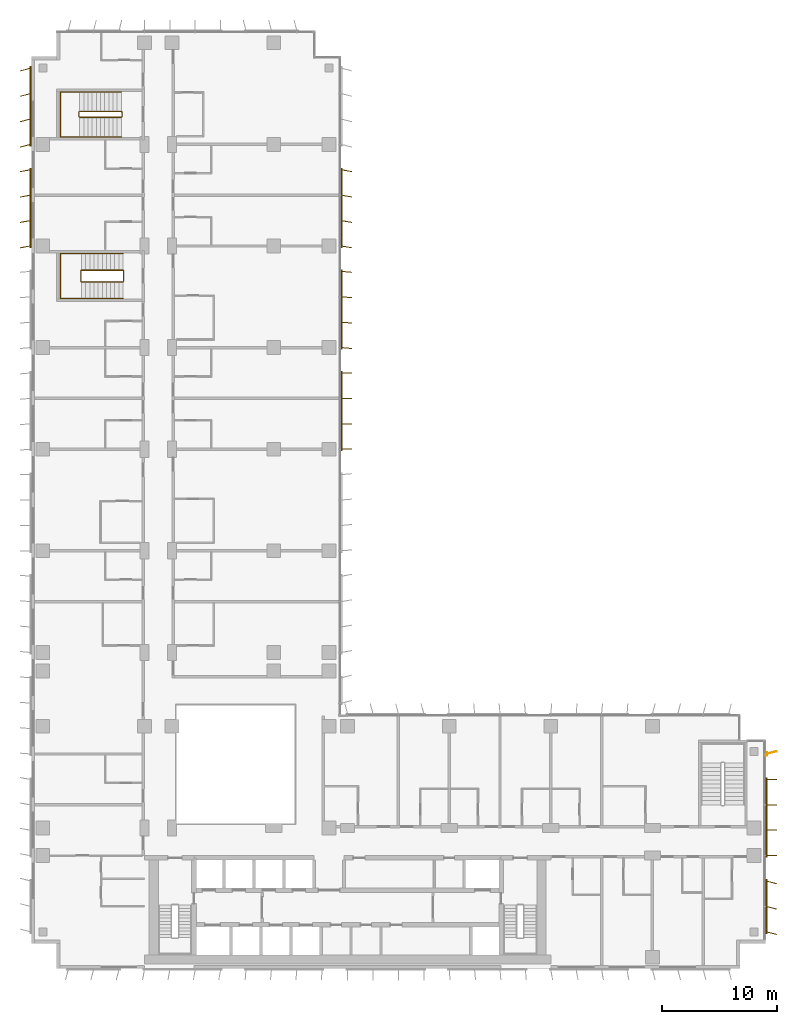
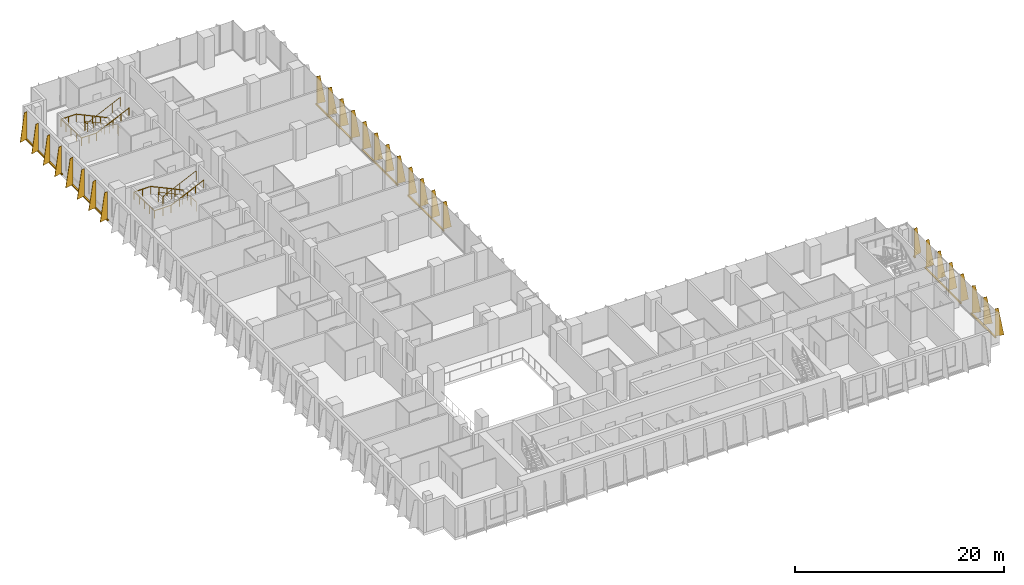
# One storey, part 22 of 23: 8 shading devices, 4 railings.
"""IFC4 building model written with IfcOpenShell, lengths in metres."""

from ifc_helpers import new_model, si_unit, direction, frame, origin, origin_2d, place, context, subcontext, project, spatial, polyline, rectangle, circle, outline, extrude, source, transform, mapped, material, layer, layer_set, type_object, element, save


model = new_model("IFC4")

# Units and contexts
model_context = context("Model", 3, precision=1e-05, world=origin(), true_north=direction((0.0, 1.0)))
body_context = subcontext(model_context, "Body", "Model", "MODEL_VIEW")
ifc_project = project(units=[si_unit("LENGTHUNIT", "METRE"), si_unit("AREAUNIT", "SQUARE_METRE"), si_unit("VOLUMEUNIT", "CUBIC_METRE"), si_unit("PLANEANGLEUNIT", "RADIAN"), si_unit("MASSUNIT", "GRAM", prefix="KILO")], contexts=[model_context])

# Site, building, storey
site_placement = place(None, origin())
site = spatial("IfcSite", under=ifc_project, at=site_placement, CompositionType="ELEMENT")
building_placement = place(site_placement, origin())
building = spatial("IfcBuilding", under=site, at=building_placement, Name="Kemantara Hotel Tower", CompositionType="ELEMENT")
storey_placement = place(building_placement, frame((0.0, 0.0, 118.5)))
storey = spatial("IfcBuildingStorey", under=building, at=storey_placement, Name="L28", CompositionType="ELEMENT", Elevation=118.5)

# Railings
ifc_material_1 = material(Name="Stainless steel balustrade", Category="steel")
railing_type_1 = type_object("IfcRailingType", Name="Stair guard 1100 mm", PredefinedType="GUARDRAIL", material=ifc_material_1)
railing_1_placement = place(storey_placement, frame((7.949951171875, 59.5, 3.699951171875)))
element("IfcRailing", 1, at=railing_1_placement, inside=storey, type_object=railing_type_1, Name="L28 ST4 stair guard 1", PredefinedType="GUARDRAIL", context=body_context, shape_type="SweptSolid", body=[
    extrude(circle(Radius=0.02392578125, at=origin_2d()), frame((0.0, 0.0, 1.076171875), z_axis=(-0.905994681025, 0.0, -0.423289071386), x_axis=(0.0, -1.0, 0.0)), (0.0, 0.0, 1.0), 3.973388671875),
    extrude(circle(Radius=0.02392578125, at=origin_2d()), frame((-3.599853515625, 0.0, -0.60595703125), z_axis=(-0.274582412415, 0.274582412415, -0.921525364591), x_axis=(-0.707106781187, -0.707106781187, 0.0)), (0.0, 0.0, 1.0), 0.182373046875),
    extrude(circle(Radius=0.02392578125, at=origin_2d()), frame((-3.64990234375, 0.050048828125, -0.77392578125), z_axis=(0.0, 1.0, 0.0), x_axis=(-1.0, 0.0, 0.0)), (0.0, 0.0, 1.0), 0.89990234375),
    extrude(circle(Radius=0.02392578125, at=origin_2d()), frame((-3.64990234375, 0.949951171875, -0.77392578125), z_axis=(0.707106781187, 0.707106781187, 0.0), x_axis=(-0.707106781187, 0.707106781187, 0.0)), (0.0, 0.0, 1.0), 0.07080078125),
    extrude(circle(Radius=0.02392578125, at=origin_2d()), frame((-3.599853515625, 1.0, -0.77392578125), z_axis=(0.905994681025, 0.0, -0.423289071386), x_axis=(0.0, 1.0, 0.0)), (0.0, 0.0, 1.0), 3.973388671875),
    extrude(circle(Radius=0.02392578125, at=origin_2d()), frame((0.0, 1.0, -2.45556640625), z_axis=(0.274243871929, -0.274243871929, -0.92172696468), x_axis=(0.707106781187, 0.707106781187, 0.0)), (0.0, 0.0, 1.0), 0.1826171875),
    extrude(circle(Radius=0.02392578125, at=origin_2d()), frame((0.050048828125, 0.949951171875, -2.6240234375), z_axis=(0.0, -1.0, 0.0), x_axis=(1.0, 0.0, 0.0)), (0.0, 0.0, 1.0), 0.89990234375),
    extrude(circle(Radius=0.02099609375, at=origin_2d()), origin(), (0.0, 0.0, 1.0), 1.052001953125),
    extrude(circle(Radius=0.02099609375, at=origin_2d()), frame((-0.89990234375, 0.0, -0.42041015625)), (0.0, 0.0, 1.0), 1.052001953125),
    extrude(circle(Radius=0.02099609375, at=origin_2d()), frame((-1.7998046875, 0.0, -0.8408203125)), (0.0, 0.0, 1.0), 1.052001953125),
    extrude(circle(Radius=0.02099609375, at=origin_2d()), frame((-2.699951171875, 0.0, -1.261474609375)), (0.0, 0.0, 1.0), 1.052001953125),
    extrude(circle(Radius=0.02099609375, at=origin_2d()), frame((-3.599853515625, 0.0, -1.681884765625)), (0.0, 0.0, 1.0), 1.052001953125),
    extrude(circle(Radius=0.02099609375, at=origin_2d()), frame((-3.64990234375, 0.050048828125, -1.849853515625)), (0.0, 0.0, 1.0), 1.052001953125),
    extrude(circle(Radius=0.02099609375, at=origin_2d()), frame((-3.64990234375, 0.949951171875, -1.849853515625)), (0.0, 0.0, 1.0), 1.052001953125),
    extrude(circle(Radius=0.02099609375, at=origin_2d()), frame((-3.599853515625, 1.0, -1.849853515625)), (0.0, 0.0, 1.0), 1.052001953125),
    extrude(circle(Radius=0.02099609375, at=origin_2d()), frame((-2.699951171875, 1.0, -2.270263671875)), (0.0, 0.0, 1.0), 1.052001953125),
    extrude(circle(Radius=0.02099609375, at=origin_2d()), frame((-1.7998046875, 1.0, -2.69091796875)), (0.0, 0.0, 1.0), 1.052001953125),
    extrude(circle(Radius=0.02099609375, at=origin_2d()), frame((-0.89990234375, 1.0, -3.111328125)), (0.0, 0.0, 1.0), 1.052001953125),
    extrude(circle(Radius=0.02099609375, at=origin_2d()), frame((0.0, 1.0, -3.53173828125)), (0.0, 0.0, 1.0), 1.052001953125),
    extrude(circle(Radius=0.02099609375, at=origin_2d()), frame((0.050048828125, 0.949951171875, -3.699951171875)), (0.0, 0.0, 1.0), 1.052001953125),
    extrude(circle(Radius=0.02099609375, at=origin_2d()), frame((0.050048828125, 0.050048828125, -3.699951171875)), (0.0, 0.0, 1.0), 1.052001953125),
])
railing_2_placement = place(storey_placement, frame((7.800048828125, 73.75, 3.699951171875)))
element("IfcRailing", 2, at=railing_2_placement, inside=storey, type_object=railing_type_1, Name="L28 ST6 stair guard 1", PredefinedType="GUARDRAIL", context=body_context, shape_type="SweptSolid", body=[
    extrude(circle(Radius=0.02392578125, at=origin_2d()), frame((0.0, 0.0, 1.076171875), z_axis=(-0.906005689286, 0.0, -0.423265508849), x_axis=(0.0, -1.0, 0.0)), (0.0, 0.0, 1.0), 3.9736328125),
    extrude(circle(Radius=0.02392578125, at=origin_2d()), frame((-3.60009765625, 0.0, -0.60595703125), z_axis=(-0.274582412415, 0.274582412415, -0.921525364591), x_axis=(-0.707106781187, -0.707106781187, 0.0)), (0.0, 0.0, 1.0), 0.182373046875),
    extrude(circle(Radius=0.02392578125, at=origin_2d()), frame((-3.650146484375, 0.050048828125, -0.77392578125), z_axis=(0.0, 1.0, 0.0), x_axis=(-1.0, 0.0, 0.0)), (0.0, 0.0, 1.0), 0.39990234375),
    extrude(circle(Radius=0.02392578125, at=origin_2d()), frame((-3.650146484375, 0.449951171875, -0.77392578125), z_axis=(0.707106781187, 0.707106781187, 0.0), x_axis=(-0.707106781187, 0.707106781187, 0.0)), (0.0, 0.0, 1.0), 0.07080078125),
    extrude(circle(Radius=0.02392578125, at=origin_2d()), frame((-3.60009765625, 0.5, -0.77392578125), z_axis=(0.906005689286, 0.0, -0.423265508849), x_axis=(0.0, 1.0, 0.0)), (0.0, 0.0, 1.0), 3.9736328125),
    extrude(circle(Radius=0.02392578125, at=origin_2d()), frame((0.0, 0.5, -2.45556640625), z_axis=(0.274243871929, -0.274243871929, -0.92172696468), x_axis=(0.707106781187, 0.707106781187, 0.0)), (0.0, 0.0, 1.0), 0.1826171875),
    extrude(circle(Radius=0.02392578125, at=origin_2d()), frame((0.050048828125, 0.449951171875, -2.6240234375), z_axis=(0.0, -1.0, 0.0), x_axis=(1.0, 0.0, 0.0)), (0.0, 0.0, 1.0), 0.39990234375),
    extrude(circle(Radius=0.02099609375, at=origin_2d()), origin(), (0.0, 0.0, 1.0), 1.052001953125),
    extrude(circle(Radius=0.02099609375, at=origin_2d()), frame((-0.89990234375, 0.0, -0.42041015625)), (0.0, 0.0, 1.0), 1.052001953125),
    extrude(circle(Radius=0.02099609375, at=origin_2d()), frame((-1.800048828125, 0.0, -0.8408203125)), (0.0, 0.0, 1.0), 1.052001953125),
    extrude(circle(Radius=0.02099609375, at=origin_2d()), frame((-2.7001953125, 0.0, -1.261474609375)), (0.0, 0.0, 1.0), 1.052001953125),
    extrude(circle(Radius=0.02099609375, at=origin_2d()), frame((-3.60009765625, 0.0, -1.681884765625)), (0.0, 0.0, 1.0), 1.052001953125),
    extrude(circle(Radius=0.02099609375, at=origin_2d()), frame((-3.650146484375, 0.050048828125, -1.849853515625)), (0.0, 0.0, 1.0), 1.052001953125),
    extrude(circle(Radius=0.02099609375, at=origin_2d()), frame((-3.650146484375, 0.449951171875, -1.849853515625)), (0.0, 0.0, 1.0), 1.052001953125),
    extrude(circle(Radius=0.02099609375, at=origin_2d()), frame((-3.60009765625, 0.5, -1.849853515625)), (0.0, 0.0, 1.0), 1.052001953125),
    extrude(circle(Radius=0.02099609375, at=origin_2d()), frame((-2.7001953125, 0.5, -2.270263671875)), (0.0, 0.0, 1.0), 1.052001953125),
    extrude(circle(Radius=0.02099609375, at=origin_2d()), frame((-1.800048828125, 0.5, -2.69091796875)), (0.0, 0.0, 1.0), 1.052001953125),
    extrude(circle(Radius=0.02099609375, at=origin_2d()), frame((-0.89990234375, 0.5, -3.111328125)), (0.0, 0.0, 1.0), 1.052001953125),
    extrude(circle(Radius=0.02099609375, at=origin_2d()), frame((0.0, 0.5, -3.53173828125)), (0.0, 0.0, 1.0), 1.052001953125),
    extrude(circle(Radius=0.02099609375, at=origin_2d()), frame((0.050048828125, 0.449951171875, -3.699951171875)), (0.0, 0.0, 1.0), 1.052001953125),
    extrude(circle(Radius=0.02099609375, at=origin_2d()), frame((0.050048828125, 0.050048828125, -3.699951171875)), (0.0, 0.0, 1.0), 1.052001953125),
])
railing_type_2 = type_object("IfcRailingType", Name="Stair handrail 900 mm", PredefinedType="HANDRAIL", material=ifc_material_1)
railing_3_placement = place(storey_placement, frame((7.949951171875, 61.949951171875, 0.168212890625)))
element("IfcRailing", 3, at=railing_3_placement, inside=storey, type_object=railing_type_2, Name="L28 ST4 stair handrail 1", PredefinedType="HANDRAIL", context=body_context, shape_type="SweptSolid", body=[
    extrude(circle(Radius=0.02392578125, at=origin_2d()), frame((0.0, 0.0, 0.8759765625), z_axis=(-0.905994681025, 0.0, 0.423289071386), x_axis=(0.0, -1.0, 0.0)), (0.0, 0.0, 1.0), 3.973388671875),
    extrude(circle(Radius=0.02392578125, at=origin_2d()), frame((-3.599853515625, 0.0, 2.5576171875), z_axis=(-1.0, 0.0, 0.0), x_axis=(0.0, -1.0, 0.0)), (0.0, 0.0, 1.0), 1.830078125),
    extrude(circle(Radius=0.02392578125, at=origin_2d()), frame((-5.429931640625, 0.0, 2.5576171875), z_axis=(0.0, -0.999073776461, 0.043030096294), x_axis=(1.0, 0.0, 0.0)), (0.0, 0.0, 1.0), 3.903564453125),
    extrude(circle(Radius=0.02392578125, at=origin_2d()), frame((-5.429931640625, -3.89990234375, 2.7255859375), z_axis=(1.0, 0.0, 0.0), x_axis=(0.0, 1.0, 0.0)), (0.0, 0.0, 1.0), 1.830078125),
    extrude(circle(Radius=0.02392578125, at=origin_2d()), frame((-3.599853515625, -3.89990234375, 2.7255859375), z_axis=(0.905994681025, 0.0, 0.423289071386), x_axis=(0.0, 1.0, 0.0)), (0.0, 0.0, 1.0), 3.973388671875),
    extrude(circle(Radius=0.02099609375, at=origin_2d()), origin(), (0.0, 0.0, 1.0), 0.851806640625),
    extrude(circle(Radius=0.02099609375, at=origin_2d()), frame((-0.89990234375, 0.0, 0.42041015625)), (0.0, 0.0, 1.0), 0.851806640625),
    extrude(circle(Radius=0.02099609375, at=origin_2d()), frame((-1.7998046875, 0.0, 0.8408203125)), (0.0, 0.0, 1.0), 0.851806640625),
    extrude(circle(Radius=0.02099609375, at=origin_2d()), frame((-2.699951171875, 0.0, 1.261474609375)), (0.0, 0.0, 1.0), 0.851806640625),
    extrude(circle(Radius=0.02099609375, at=origin_2d()), frame((-3.599853515625, 0.0, 1.681884765625)), (0.0, 0.0, 1.0), 0.851806640625),
    extrude(circle(Radius=0.02099609375, at=origin_2d()), frame((-4.514892578125, 0.0, 1.681884765625)), (0.0, 0.0, 1.0), 0.851806640625),
    extrude(circle(Radius=0.02099609375, at=origin_2d()), frame((-5.429931640625, 0.0, 1.681884765625)), (0.0, 0.0, 1.0), 0.851806640625),
    extrude(circle(Radius=0.02099609375, at=origin_2d()), frame((-5.429931640625, -0.97509765625, 1.723876953125)), (0.0, 0.0, 1.0), 0.851806640625),
    extrude(circle(Radius=0.02099609375, at=origin_2d()), frame((-5.429931640625, -1.949951171875, 1.765869140625)), (0.0, 0.0, 1.0), 0.851806640625),
    extrude(circle(Radius=0.02099609375, at=origin_2d()), frame((-5.429931640625, -2.9248046875, 1.807861328125)), (0.0, 0.0, 1.0), 0.851806640625),
    extrude(circle(Radius=0.02099609375, at=origin_2d()), frame((-5.429931640625, -3.89990234375, 1.849853515625)), (0.0, 0.0, 1.0), 0.851806640625),
    extrude(circle(Radius=0.02099609375, at=origin_2d()), frame((-4.514892578125, -3.89990234375, 1.849853515625)), (0.0, 0.0, 1.0), 0.851806640625),
    extrude(circle(Radius=0.02099609375, at=origin_2d()), frame((-3.599853515625, -3.89990234375, 1.849853515625)), (0.0, 0.0, 1.0), 0.851806640625),
    extrude(circle(Radius=0.02099609375, at=origin_2d()), frame((-2.699951171875, -3.89990234375, 2.270263671875)), (0.0, 0.0, 1.0), 0.851806640625),
    extrude(circle(Radius=0.02099609375, at=origin_2d()), frame((-1.7998046875, -3.89990234375, 2.69091796875)), (0.0, 0.0, 1.0), 0.851806640625),
    extrude(circle(Radius=0.02099609375, at=origin_2d()), frame((-0.89990234375, -3.89990234375, 3.111328125)), (0.0, 0.0, 1.0), 0.851806640625),
    extrude(circle(Radius=0.02099609375, at=origin_2d()), frame((0.0, -3.89990234375, 3.53173828125)), (0.0, 0.0, 1.0), 0.851806640625),
])
railing_4_placement = place(storey_placement, frame((7.800048828125, 75.949951171875, 0.168212890625)))
element("IfcRailing", 4, at=railing_4_placement, inside=storey, type_object=railing_type_2, Name="L28 ST6 stair handrail 1", PredefinedType="HANDRAIL", context=body_context, shape_type="SweptSolid", body=[
    extrude(circle(Radius=0.02392578125, at=origin_2d()), frame((0.0, 0.0, 0.8759765625), z_axis=(-0.906005689286, 0.0, 0.423265508849), x_axis=(0.0, -1.0, 0.0)), (0.0, 0.0, 1.0), 3.9736328125),
    extrude(circle(Radius=0.02392578125, at=origin_2d()), frame((-3.60009765625, 0.0, 2.5576171875), z_axis=(-1.0, 0.0, 0.0), x_axis=(0.0, -1.0, 0.0)), (0.0, 0.0, 1.0), 1.679931640625),
    extrude(circle(Radius=0.02392578125, at=origin_2d()), frame((-5.280029296875, 0.0, 2.5576171875), z_axis=(0.0, -0.999073776461, 0.043030096294), x_axis=(1.0, 0.0, 0.0)), (0.0, 0.0, 1.0), 3.903564453125),
    extrude(circle(Radius=0.02392578125, at=origin_2d()), frame((-5.280029296875, -3.89990234375, 2.7255859375), z_axis=(1.0, 0.0, 0.0), x_axis=(0.0, 1.0, 0.0)), (0.0, 0.0, 1.0), 1.679931640625),
    extrude(circle(Radius=0.02392578125, at=origin_2d()), frame((-3.60009765625, -3.89990234375, 2.7255859375), z_axis=(0.906005689286, 0.0, 0.423265508849), x_axis=(0.0, 1.0, 0.0)), (0.0, 0.0, 1.0), 3.9736328125),
    extrude(circle(Radius=0.02099609375, at=origin_2d()), origin(), (0.0, 0.0, 1.0), 0.851806640625),
    extrude(circle(Radius=0.02099609375, at=origin_2d()), frame((-0.89990234375, 0.0, 0.42041015625)), (0.0, 0.0, 1.0), 0.851806640625),
    extrude(circle(Radius=0.02099609375, at=origin_2d()), frame((-1.800048828125, 0.0, 0.8408203125)), (0.0, 0.0, 1.0), 0.851806640625),
    extrude(circle(Radius=0.02099609375, at=origin_2d()), frame((-2.7001953125, 0.0, 1.261474609375)), (0.0, 0.0, 1.0), 0.851806640625),
    extrude(circle(Radius=0.02099609375, at=origin_2d()), frame((-3.60009765625, 0.0, 1.681884765625)), (0.0, 0.0, 1.0), 0.851806640625),
    extrude(circle(Radius=0.02099609375, at=origin_2d()), frame((-4.43994140625, 0.0, 1.681884765625)), (0.0, 0.0, 1.0), 0.851806640625),
    extrude(circle(Radius=0.02099609375, at=origin_2d()), frame((-5.280029296875, 0.0, 1.681884765625)), (0.0, 0.0, 1.0), 0.851806640625),
    extrude(circle(Radius=0.02099609375, at=origin_2d()), frame((-5.280029296875, -0.97509765625, 1.723876953125)), (0.0, 0.0, 1.0), 0.851806640625),
    extrude(circle(Radius=0.02099609375, at=origin_2d()), frame((-5.280029296875, -1.949951171875, 1.765869140625)), (0.0, 0.0, 1.0), 0.851806640625),
    extrude(circle(Radius=0.02099609375, at=origin_2d()), frame((-5.280029296875, -2.9248046875, 1.807861328125)), (0.0, 0.0, 1.0), 0.851806640625),
    extrude(circle(Radius=0.02099609375, at=origin_2d()), frame((-5.280029296875, -3.89990234375, 1.849853515625)), (0.0, 0.0, 1.0), 0.851806640625),
    extrude(circle(Radius=0.02099609375, at=origin_2d()), frame((-4.43994140625, -3.89990234375, 1.849853515625)), (0.0, 0.0, 1.0), 0.851806640625),
    extrude(circle(Radius=0.02099609375, at=origin_2d()), frame((-3.60009765625, -3.89990234375, 1.849853515625)), (0.0, 0.0, 1.0), 0.851806640625),
    extrude(circle(Radius=0.02099609375, at=origin_2d()), frame((-2.7001953125, -3.89990234375, 2.270263671875)), (0.0, 0.0, 1.0), 0.851806640625),
    extrude(circle(Radius=0.02099609375, at=origin_2d()), frame((-1.800048828125, -3.89990234375, 2.69091796875)), (0.0, 0.0, 1.0), 0.851806640625),
    extrude(circle(Radius=0.02099609375, at=origin_2d()), frame((-0.89990234375, -3.89990234375, 3.111328125)), (0.0, 0.0, 1.0), 0.851806640625),
    extrude(circle(Radius=0.02099609375, at=origin_2d()), frame((0.0, -3.89990234375, 3.53173828125)), (0.0, 0.0, 1.0), 0.851806640625),
])

# Shading devices
ifc_material_2 = material(Name="Perforated aluminium plate 4 mm bronze anodised", Category="aluminium")
ifc_layer_1 = layer(ifc_material_2, 0.0400390625)
ifc_layer_set_1 = layer_set([ifc_layer_1], Name="Perforated aluminium plate 4 mm bronze anodised")
shading_device_type_1 = type_object("IfcShadingDeviceType", Name="SCREEN FIN CASSETTE, 3 BLADES AT -15.0 DEG, 3200 HIGH", PredefinedType="USERDEFINED", material=ifc_layer_set_1)
shared_shape_1 = source(origin(), body_context, "Body", "SweptSolid", [
    extrude(rectangle(XDim=4.699951171875, YDim=0.14990234375, at=origin_2d()), frame((2.199951171875, -0.074951171875, -0.14990234375), z_axis=(0.0, 0.0, 1.0), x_axis=(1.0, 0.0, 0.0)), (0.0, 0.0, 1.0), 0.14990234375),
    extrude(outline(polyline([(0.0, 0.0), (0.89990234375, 0.0), (0.35009765625, 3.199951171875), (0.0, 3.199951171875), (0.0, 0.0)])), frame((0.019287109375, -0.080078125, 0.0), z_axis=(-0.966437683387, 0.256901156343, 0.0), x_axis=(-0.256901156343, -0.966437683387, 0.0)), (0.0, 0.0, 1.0), 0.039794921875),
    extrude(outline(polyline([(0.0, 0.0), (0.89990234375, 0.0), (0.35009765625, 3.199951171875), (0.0, 3.199951171875), (0.0, 0.0)])), frame((2.21923828125, -0.080078125, 0.0), z_axis=(-0.966437683387, 0.256901156343, 0.0), x_axis=(-0.256901156343, -0.966437683387, 0.0)), (0.0, 0.0, 1.0), 0.039794921875),
    extrude(outline(polyline([(0.0, 0.0), (0.89990234375, 0.0), (0.35009765625, 3.199951171875), (0.0, 3.199951171875), (0.0, 0.0)])), frame((4.41943359375, -0.080078125, 0.0), z_axis=(-0.966837822169, 0.255391122837, 0.0), x_axis=(-0.255391122837, -0.966837822169, 0.0)), (0.0, 0.0, 1.0), 0.0400390625),
])
shading_device_1_placement = place(storey_placement, frame((63.60009765625, 3.199951171875, 0.10009765625), z_axis=(0.0, 0.0, 1.0), x_axis=(0.0, 1.0, 0.0)))
element("IfcShadingDevice", 5, at=shading_device_1_placement, inside=storey, type_object=shading_device_type_1, Name="SCREEN FIN CASSETTE L28 T2-R10-1", ObjectType="SCREEN FIN", PredefinedType="USERDEFINED", context=body_context, shape_type="MappedRepresentation", body=[
    mapped(shared_shape_1, transform((0.0, 0.0, 0.0))),
])
ifc_layer_2 = layer(ifc_material_2, 0.0400390625)
ifc_layer_set_2 = layer_set([ifc_layer_2], Name="Perforated aluminium plate 4 mm bronze anodised")
shading_device_type_2 = type_object("IfcShadingDeviceType", Name="SCREEN FIN CASSETTE, 4 BLADES AT -10.0 DEG, 3200 HIGH", PredefinedType="USERDEFINED", material=ifc_layer_set_2)
shared_shape_2 = source(origin(), body_context, "Body", "SweptSolid", [
    extrude(rectangle(XDim=6.89990234375, YDim=0.14990234375, at=origin_2d()), frame((3.300048828125, -0.074951171875, -0.14990234375), z_axis=(0.0, 0.0, 1.0), x_axis=(1.0, 0.0, 0.0)), (0.0, 0.0, 1.0), 0.14990234375),
    extrude(outline(polyline([(0.0, 0.0), (0.89990234375, 0.0), (0.35009765625, 3.199951171875), (0.0, 3.199951171875), (0.0, 0.0)])), frame((0.019775390625, -0.078369140625, 0.0), z_axis=(-0.985389793052, 0.170314285219, 0.0), x_axis=(-0.170314285219, -0.985389793052, 0.0)), (0.0, 0.0, 1.0), 0.0400390625),
    extrude(outline(polyline([(0.0, 0.0), (0.89990234375, 0.0), (0.35009765625, 3.199951171875), (0.0, 3.199951171875), (0.0, 0.0)])), frame((2.2197265625, -0.078369140625, 0.0), z_axis=(-0.98521175482, 0.171341174751, 0.0), x_axis=(-0.171341174751, -0.98521175482, 0.0)), (0.0, 0.0, 1.0), 0.039794921875),
    extrude(outline(polyline([(0.0, 0.0), (0.89990234375, 0.0), (0.35009765625, 3.199951171875), (0.0, 3.199951171875), (0.0, 0.0)])), frame((4.419677734375, -0.078369140625, 0.0), z_axis=(-0.98521175482, 0.171341174751, 0.0), x_axis=(-0.171341174751, -0.98521175482, 0.0)), (0.0, 0.0, 1.0), 0.039794921875),
    extrude(outline(polyline([(0.0, 0.0), (0.89990234375, 0.0), (0.35009765625, 3.199951171875), (0.0, 3.199951171875), (0.0, 0.0)])), frame((6.61962890625, -0.078369140625, 0.0), z_axis=(-0.98521175482, 0.171341174751, 0.0), x_axis=(-0.171341174751, -0.98521175482, 0.0)), (0.0, 0.0, 1.0), 0.039794921875),
])
shading_device_2_placement = place(storey_placement, frame((26.800048828125, 62.60009765625, 0.10009765625), z_axis=(0.0, 0.0, 1.0), x_axis=(0.0, 1.0, 0.0)))
element("IfcShadingDevice", 6, at=shading_device_2_placement, inside=storey, type_object=shading_device_type_2, Name="SCREEN FIN CASSETTE L28 T2-R14-6", ObjectType="SCREEN FIN", PredefinedType="USERDEFINED", context=body_context, shape_type="MappedRepresentation", body=[
    mapped(shared_shape_2, transform((0.0, 0.0, 0.0))),
])
ifc_layer_3 = layer(ifc_material_2, 0.0400390625)
ifc_layer_set_3 = layer_set([ifc_layer_3], Name="Perforated aluminium plate 4 mm bronze anodised")
shading_device_type_3 = type_object("IfcShadingDeviceType", Name="SCREEN FIN CASSETTE, 4 BLADES AT -5.0 DEG, 3200 HIGH", PredefinedType="USERDEFINED", material=ifc_layer_set_3)
shared_shape_3 = source(origin(), body_context, "Body", "SweptSolid", [
    extrude(rectangle(XDim=6.89990234375, YDim=0.14990234375, at=origin_2d()), frame((3.300048828125, -0.074951171875, -0.14990234375), z_axis=(0.0, 0.0, 1.0), x_axis=(1.0, 0.0, 0.0)), (0.0, 0.0, 1.0), 0.14990234375),
    extrude(outline(polyline([(0.0, 0.0), (0.89990234375, 0.0), (0.35009765625, 3.199951171875), (0.0, 3.199951171875), (0.0, 0.0)])), frame((0.02001953125, -0.07666015625, 0.0), z_axis=(-0.996376129781, 0.085056498884, 0.0), x_axis=(-0.085056498884, -0.996376129781, 0.0)), (0.0, 0.0, 1.0), 0.040283203125),
    extrude(outline(polyline([(0.0, 0.0), (0.89990234375, 0.0), (0.35009765625, 3.199951171875), (0.0, 3.199951171875), (0.0, 0.0)])), frame((2.219970703125, -0.07666015625, 0.0), z_axis=(-0.996331773833, 0.085574508182, 0.0), x_axis=(-0.085574508182, -0.996331773833, 0.0)), (0.0, 0.0, 1.0), 0.0400390625),
    extrude(outline(polyline([(0.0, 0.0), (0.89990234375, 0.0), (0.35009765625, 3.199951171875), (0.0, 3.199951171875), (0.0, 0.0)])), frame((4.419921875, -0.07666015625, 0.0), z_axis=(-0.996331773833, 0.085574508182, 0.0), x_axis=(-0.085574508182, -0.996331773833, 0.0)), (0.0, 0.0, 1.0), 0.0400390625),
    extrude(outline(polyline([(0.0, 0.0), (0.89990234375, 0.0), (0.35009765625, 3.199951171875), (0.0, 3.199951171875), (0.0, 0.0)])), frame((6.619873046875, -0.07666015625, 0.0), z_axis=(-0.996331773833, 0.085574508182, 0.0), x_axis=(-0.085574508182, -0.996331773833, 0.0)), (0.0, 0.0, 1.0), 0.0400390625),
])
shading_device_3_placement = place(storey_placement, frame((26.800048828125, 53.800048828125, 0.10009765625), z_axis=(0.0, 0.0, 1.0), x_axis=(0.0, 1.0, 0.0)))
element("IfcShadingDevice", 7, at=shading_device_3_placement, inside=storey, type_object=shading_device_type_3, Name="SCREEN FIN CASSETTE L28 T2-R14-5", ObjectType="SCREEN FIN", PredefinedType="USERDEFINED", context=body_context, shape_type="MappedRepresentation", body=[
    mapped(shared_shape_3, transform((0.0, 0.0, 0.0))),
])
ifc_layer_4 = layer(ifc_material_2, 0.0400390625)
ifc_layer_set_4 = layer_set([ifc_layer_4], Name="Perforated aluminium plate 4 mm bronze anodised")
shading_device_type_4 = type_object("IfcShadingDeviceType", Name="SCREEN FIN CASSETTE, 4 BLADES AT +0.0 DEG, 3200 HIGH", PredefinedType="USERDEFINED", material=ifc_layer_set_4)
shared_shape_4 = source(origin(), body_context, "Body", "SweptSolid", [
    extrude(rectangle(XDim=6.89990234375, YDim=0.14990234375, at=origin_2d()), frame((3.300048828125, -0.074951171875, -0.14990234375), z_axis=(0.0, 0.0, 1.0), x_axis=(1.0, 0.0, 0.0)), (0.0, 0.0, 1.0), 0.14990234375),
    extrude(outline(polyline([(0.0, 0.0), (0.89990234375, 0.0), (0.35009765625, 3.199951171875), (0.0, 3.199951171875), (0.0, 0.0)])), frame((0.02001953125, -0.074951171875, 0.0), z_axis=(-1.0, 0.0, 0.0), x_axis=(0.0, -1.0, 0.0)), (0.0, 0.0, 1.0), 0.0400390625),
    extrude(outline(polyline([(0.0, 0.0), (0.89990234375, 0.0), (0.35009765625, 3.199951171875), (0.0, 3.199951171875), (0.0, 0.0)])), frame((2.219970703125, -0.074951171875, 0.0), z_axis=(-1.0, 0.0, 0.0), x_axis=(0.0, -1.0, 0.0)), (0.0, 0.0, 1.0), 0.0400390625),
    extrude(outline(polyline([(0.0, 0.0), (0.89990234375, 0.0), (0.35009765625, 3.199951171875), (0.0, 3.199951171875), (0.0, 0.0)])), frame((4.419921875, -0.074951171875, 0.0), z_axis=(-1.0, 0.0, 0.0), x_axis=(0.0, -1.0, 0.0)), (0.0, 0.0, 1.0), 0.0400390625),
    extrude(outline(polyline([(0.0, 0.0), (0.89990234375, 0.0), (0.35009765625, 3.199951171875), (0.0, 3.199951171875), (0.0, 0.0)])), frame((6.6201171875, -0.074951171875, 0.0), z_axis=(-1.0, 0.0, 0.0), x_axis=(0.0, -1.0, 0.0)), (0.0, 0.0, 1.0), 0.0400390625),
])
for number, where, z_axis, x_axis, name in (
    (8, (63.60009765625, 9.800048828125, 0.10009765625), (0.0, 0.0, 1.0), (0.0, 1.0, 0.0), "SCREEN FIN CASSETTE L28 T2-R10-2"),
    (9, (26.800048828125, 45.0, 0.10009765625), (0.0, 0.0, 1.0), (0.0, 1.0, 0.0), "SCREEN FIN CASSETTE L28 T2-R14-4"),
):
    element("IfcShadingDevice", number, at=place(storey_placement, frame(where, z_axis=z_axis, x_axis=x_axis)), inside=storey, type_object=shading_device_type_4, Name=name, ObjectType="SCREEN FIN", PredefinedType="USERDEFINED", context=body_context, shape_type="MappedRepresentation", body=[
        mapped(shared_shape_4, transform((0.0, 0.0, 0.0))),
    ])
ifc_layer_5 = layer(ifc_material_2, 0.0400390625)
ifc_layer_set_5 = layer_set([ifc_layer_5], Name="Perforated aluminium plate 4 mm bronze anodised")
shading_device_type_5 = type_object("IfcShadingDeviceType", Name="SCREEN FIN CASSETTE, 4 BLADES AT +10.0 DEG, 3200 HIGH", PredefinedType="USERDEFINED", material=ifc_layer_set_5)
shared_shape_5 = source(origin(), body_context, "Body", "SweptSolid", [
    extrude(rectangle(XDim=6.89990234375, YDim=0.14990234375, at=origin_2d()), frame((3.300048828125, -0.074951171875, -0.14990234375), z_axis=(0.0, 0.0, 1.0), x_axis=(1.0, 0.0, 0.0)), (0.0, 0.0, 1.0), 0.14990234375),
    extrude(outline(polyline([(0.0, 0.0), (0.89990234375, 0.0), (0.35009765625, 3.199951171875), (0.0, 3.199951171875), (0.0, 0.0)])), frame((0.019775390625, -0.071533203125, 0.0), z_axis=(-0.985389793052, -0.170314285219, 0.0), x_axis=(0.170314285219, -0.985389793052, 0.0)), (0.0, 0.0, 1.0), 0.0400390625),
    extrude(outline(polyline([(0.0, 0.0), (0.89990234375, 0.0), (0.35009765625, 3.199951171875), (0.0, 3.199951171875), (0.0, 0.0)])), frame((2.2197265625, -0.071533203125, 0.0), z_axis=(-0.98521175482, -0.171341174751, 0.0), x_axis=(0.171341174751, -0.98521175482, 0.0)), (0.0, 0.0, 1.0), 0.039794921875),
    extrude(outline(polyline([(0.0, 0.0), (0.89990234375, 0.0), (0.35009765625, 3.199951171875), (0.0, 3.199951171875), (0.0, 0.0)])), frame((4.419677734375, -0.071533203125, 0.0), z_axis=(-0.98521175482, -0.171341174751, 0.0), x_axis=(0.171341174751, -0.98521175482, 0.0)), (0.0, 0.0, 1.0), 0.039794921875),
    extrude(outline(polyline([(0.0, 0.0), (0.89990234375, 0.0), (0.35009765625, 3.199951171875), (0.0, 3.199951171875), (0.0, 0.0)])), frame((6.61962890625, -0.071533203125, 0.0), z_axis=(-0.98521175482, -0.171341174751, 0.0), x_axis=(0.171341174751, -0.98521175482, 0.0)), (0.0, 0.0, 1.0), 0.039794921875),
])
shading_device_4_placement = place(storey_placement, frame((0.0, 69.199951171875, 0.10009765625), z_axis=(0.0, 0.0, 1.0), x_axis=(0.0, -1.0, 0.0)))
element("IfcShadingDevice", 10, at=shading_device_4_placement, inside=storey, type_object=shading_device_type_5, Name="SCREEN FIN CASSETTE L28 T2-R04-2", ObjectType="SCREEN FIN", PredefinedType="USERDEFINED", context=body_context, shape_type="MappedRepresentation", body=[
    mapped(shared_shape_5, transform((0.0, 0.0, 0.0))),
])
ifc_layer_6 = layer(ifc_material_2, 0.0400390625)
ifc_layer_set_6 = layer_set([ifc_layer_6], Name="Perforated aluminium plate 4 mm bronze anodised")
shading_device_type_6 = type_object("IfcShadingDeviceType", Name="SCREEN FIN CASSETTE, 4 BLADES AT +15.0 DEG, 3200 HIGH", PredefinedType="USERDEFINED", material=ifc_layer_set_6)
shared_shape_6 = source(origin(), body_context, "Body", "SweptSolid", [
    extrude(rectangle(XDim=6.89990234375, YDim=0.14990234375, at=origin_2d()), frame((3.300048828125, -0.074951171875, -0.14990234375), z_axis=(0.0, 0.0, 1.0), x_axis=(1.0, 0.0, 0.0)), (0.0, 0.0, 1.0), 0.14990234375),
    extrude(outline(polyline([(0.0, 0.0), (0.89990234375, 0.0), (0.35009765625, 3.199951171875), (0.0, 3.199951171875), (0.0, 0.0)])), frame((0.019287109375, -0.06982421875, 0.0), z_axis=(-0.966437683387, -0.256901156343, 0.0), x_axis=(0.256901156343, -0.966437683387, 0.0)), (0.0, 0.0, 1.0), 0.039794921875),
    extrude(outline(polyline([(0.0, 0.0), (0.89990234375, 0.0), (0.35009765625, 3.199951171875), (0.0, 3.199951171875), (0.0, 0.0)])), frame((2.21923828125, -0.06982421875, 0.0), z_axis=(-0.966437683387, -0.256901156343, 0.0), x_axis=(0.256901156343, -0.966437683387, 0.0)), (0.0, 0.0, 1.0), 0.039794921875),
    extrude(outline(polyline([(0.0, 0.0), (0.89990234375, 0.0), (0.35009765625, 3.199951171875), (0.0, 3.199951171875), (0.0, 0.0)])), frame((4.41943359375, -0.06982421875, 0.0), z_axis=(-0.966837822169, -0.255391122837, 0.0), x_axis=(0.255391122837, -0.966837822169, 0.0)), (0.0, 0.0, 1.0), 0.0400390625),
    extrude(outline(polyline([(0.0, 0.0), (0.89990234375, 0.0), (0.35009765625, 3.199951171875), (0.0, 3.199951171875), (0.0, 0.0)])), frame((6.619384765625, -0.06982421875, 0.0), z_axis=(-0.966837822169, -0.255391122837, 0.0), x_axis=(0.255391122837, -0.966837822169, 0.0)), (0.0, 0.0, 1.0), 0.0400390625),
])
shading_device_5_placement = place(storey_placement, frame((0.0, 78.0, 0.10009765625), z_axis=(0.0, 0.0, 1.0), x_axis=(0.0, -1.0, 0.0)))
element("IfcShadingDevice", 11, at=shading_device_5_placement, inside=storey, type_object=shading_device_type_6, Name="SCREEN FIN CASSETTE L28 T2-R04-1", ObjectType="SCREEN FIN", PredefinedType="USERDEFINED", context=body_context, shape_type="MappedRepresentation", body=[
    mapped(shared_shape_6, transform((0.0, 0.0, 0.0))),
])
ifc_layer_7 = layer(ifc_material_2, 0.0400390625)
ifc_layer_set_7 = layer_set([ifc_layer_7], Name="Perforated aluminium plate 4 mm bronze anodised")
shading_device_type_7 = type_object("IfcShadingDeviceType", Name="SCREEN FIN CASSETTE, 1 BLADE AT +15.0 DEG, 3200 HIGH", PredefinedType="USERDEFINED", material=ifc_layer_set_7)
shared_shape_7 = source(origin(), body_context, "Body", "SweptSolid", [
    extrude(rectangle(XDim=0.300048828125, YDim=0.14990234375, at=origin_2d()), frame((0.0, -0.074951171875, -0.14990234375), z_axis=(0.0, 0.0, 1.0), x_axis=(1.0, 0.0, 0.0)), (0.0, 0.0, 1.0), 0.14990234375),
    extrude(outline(polyline([(0.0, 0.0), (0.89990234375, 0.0), (0.35009765625, 3.199951171875), (0.0, 3.199951171875), (0.0, 0.0)])), frame((0.019287109375, -0.06982421875, 0.0), z_axis=(-0.966437683387, -0.256901156343, 0.0), x_axis=(0.256901156343, -0.966437683387, 0.0)), (0.0, 0.0, 1.0), 0.039794921875),
])
shading_device_6_placement = place(storey_placement, frame((63.60009765625, 18.60009765625, 0.10009765625), z_axis=(0.0, 0.0, 1.0), x_axis=(0.0, 1.0, 0.0)))
element("IfcShadingDevice", 12, at=shading_device_6_placement, inside=storey, type_object=shading_device_type_7, Name="SCREEN FIN CASSETTE L28 T2-R10-3", ObjectType="SCREEN FIN", PredefinedType="USERDEFINED", context=body_context, shape_type="MappedRepresentation", body=[
    mapped(shared_shape_7, transform((0.0, 0.0, 0.0))),
])

save(model, "model.ifc")
